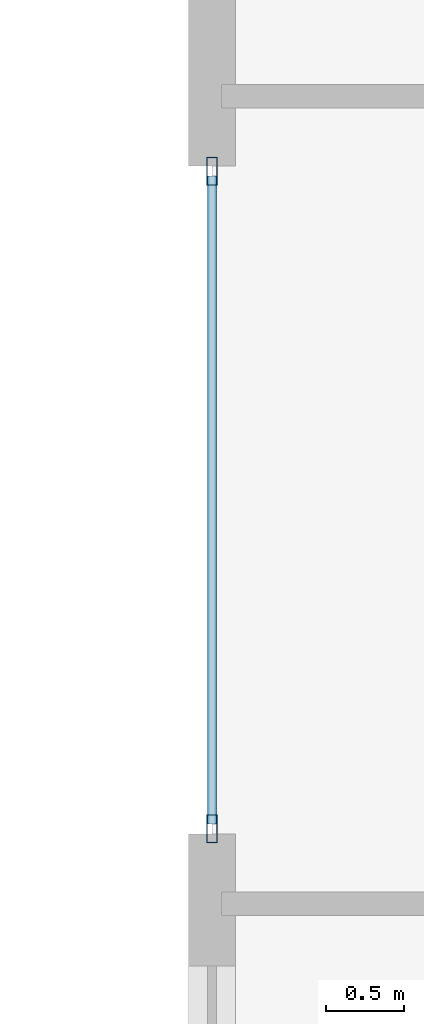
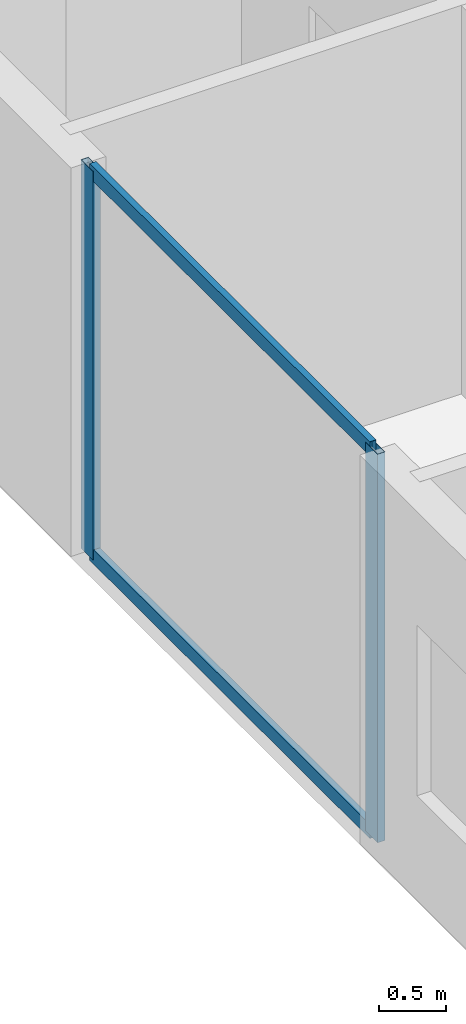
# One storey, part 3 of 33: 4 members, 1 element without a shape of its own.
"""IFC4 building model written with IfcOpenShell, lengths in metres."""

from ifc_helpers import new_model, si_unit, direction, frame, origin, origin_2d, place, context, subcontext, project, spatial, hollow_rectangle, extrude, material, layer, layer_set, material_profile, profile_set, type_object, element, aggregate, save


model = new_model("IFC4")

# Units and contexts
model_context = context("Model", 3, precision=1e-05, world=origin(), true_north=direction((0.0, 1.0)))
body_context = subcontext(model_context, "Body", "Model", "MODEL_VIEW")
ifc_project = project(units=[si_unit("LENGTHUNIT", "METRE"), si_unit("AREAUNIT", "SQUARE_METRE"), si_unit("VOLUMEUNIT", "CUBIC_METRE"), si_unit("PLANEANGLEUNIT", "RADIAN"), si_unit("MASSUNIT", "GRAM", prefix="KILO")], contexts=[model_context])

# Site, building, storey
site_placement = place(None, origin())
site = spatial("IfcSite", under=ifc_project, at=site_placement, CompositionType="ELEMENT")
building_placement = place(site_placement, origin())
building = spatial("IfcBuilding", under=site, at=building_placement, Name="Zuhayl Quay Hotel", CompositionType="ELEMENT")
storey_placement = place(building_placement, frame((0.0, 0.0, 222.39990234375)))
storey = spatial("IfcBuildingStorey", under=building, at=storey_placement, Name="L56", CompositionType="ELEMENT", Elevation=222.39990234375)

# Curtain wall, members
ifc_material_1 = material(Name="Anodised Aluminium 6063-T6", Category="aluminium")
ifc_layer = layer(ifc_material_1, 0.175048828125, Name="Anodised Aluminium 6063-T6", Category="aluminium")
ifc_layer_set = layer_set([ifc_layer], Name="Anodised Aluminium 6063-T6")
curtain_wall_type = type_object("IfcCurtainWallType", Name="CW_SYS_Z3", PredefinedType="USERDEFINED", material=ifc_layer_set)
curtain_wall_placement = place(storey_placement, origin())
curtain_wall = element("IfcCurtainWall", 1, at=curtain_wall_placement, inside=storey, type_object=curtain_wall_type, Name="L56 Curtain Wall ENV_L56_E02_CW1", ObjectType="UNITISED CURTAIN WALL", PredefinedType="USERDEFINED")
ifc_material_2 = material(Name="Black-anodised aluminium 6063-T6", Category="aluminium")
ifc_material_profile_1 = material_profile(ifc_material_2, hollow_rectangle(XDim=0.06494140625, YDim=0.179931640625, WallThickness=0.00341796875, at=origin_2d()), Name="ALU180X65")
ifc_profile_set_1 = profile_set([ifc_material_profile_1], Name="Black-anodised aluminium 6063-T6")
member_type_1 = type_object("IfcMemberType", Name="MB_CW_MUL_180", PredefinedType="MULLION", material=ifc_profile_set_1)
member_1_placement = place(storey_placement, frame((-22.10009765625, 2.032470703125, 0.0), z_axis=(0.0, 0.0, 1.0), x_axis=(-1.0, 0.0, 0.0)))
member_1 = element("IfcMember", 2, at=member_1_placement, type_object=member_type_1, Name="CW-Z3 mullion 1", PredefinedType="MULLION", context=body_context, shape_type="SweptSolid", body=[
    extrude(hollow_rectangle(XDim=0.06494140625, YDim=0.179931640625, WallThickness=0.00341796875, at=origin_2d()), origin(), (0.0, 0.0, 1.0), 3.530029296875),
])
member_2_placement = place(storey_placement, frame((-22.10009765625, 6.267578125, 0.0), z_axis=(0.0, 0.0, 1.0), x_axis=(-1.0, 0.0, 0.0)))
member_2 = element("IfcMember", 3, at=member_2_placement, type_object=member_type_1, Name="CW-Z3 mullion 2", PredefinedType="MULLION", context=body_context, shape_type="SweptSolid", body=[
    extrude(hollow_rectangle(XDim=0.06494140625, YDim=0.179931640625, WallThickness=0.00341796875, at=origin_2d()), origin(), (0.0, 0.0, 1.0), 3.530029296875),
])
ifc_material_profile_2 = material_profile(ifc_material_2, hollow_rectangle(XDim=0.054931640625, YDim=0.1298828125, WallThickness=0.0029296875, at=origin_2d()), Name="ALU130X55")
ifc_profile_set_2 = profile_set([ifc_material_profile_2], Name="Black-anodised aluminium 6063-T6")
member_type_2 = type_object("IfcMemberType", Name="MB_CW_TRN_130", PredefinedType="USERDEFINED", material=ifc_profile_set_2)
member_3_placement = place(storey_placement, frame((-22.10009765625, 2.06494140625, 0.027587890625), z_axis=(0.0, 1.0, 0.0), x_axis=(-1.0, 0.0, 0.0)))
member_3 = element("IfcMember", 4, at=member_3_placement, type_object=member_type_2, Name="CW-Z3 transom 1.1", ObjectType="TRANSOM", PredefinedType="USERDEFINED", context=body_context, shape_type="SweptSolid", body=[
    extrude(hollow_rectangle(XDim=0.054931640625, YDim=0.1298828125, WallThickness=0.0029296875, at=origin_2d()), origin(), (0.0, 0.0, 1.0), 4.170166015625),
])
member_4_placement = place(storey_placement, frame((-22.10009765625, 2.06494140625, 3.502685546875), z_axis=(0.0, 1.0, 0.0), x_axis=(-1.0, 0.0, 0.0)))
member_4 = element("IfcMember", 5, at=member_4_placement, type_object=member_type_2, Name="CW-Z3 transom 1.2", ObjectType="TRANSOM", PredefinedType="USERDEFINED", context=body_context, shape_type="SweptSolid", body=[
    extrude(hollow_rectangle(XDim=0.054931640625, YDim=0.1298828125, WallThickness=0.0029296875, at=origin_2d()), origin(), (0.0, 0.0, 1.0), 4.170166015625),
])
aggregate(curtain_wall, [member_1, member_2, member_3, member_4])

save(model, "model.ifc")
